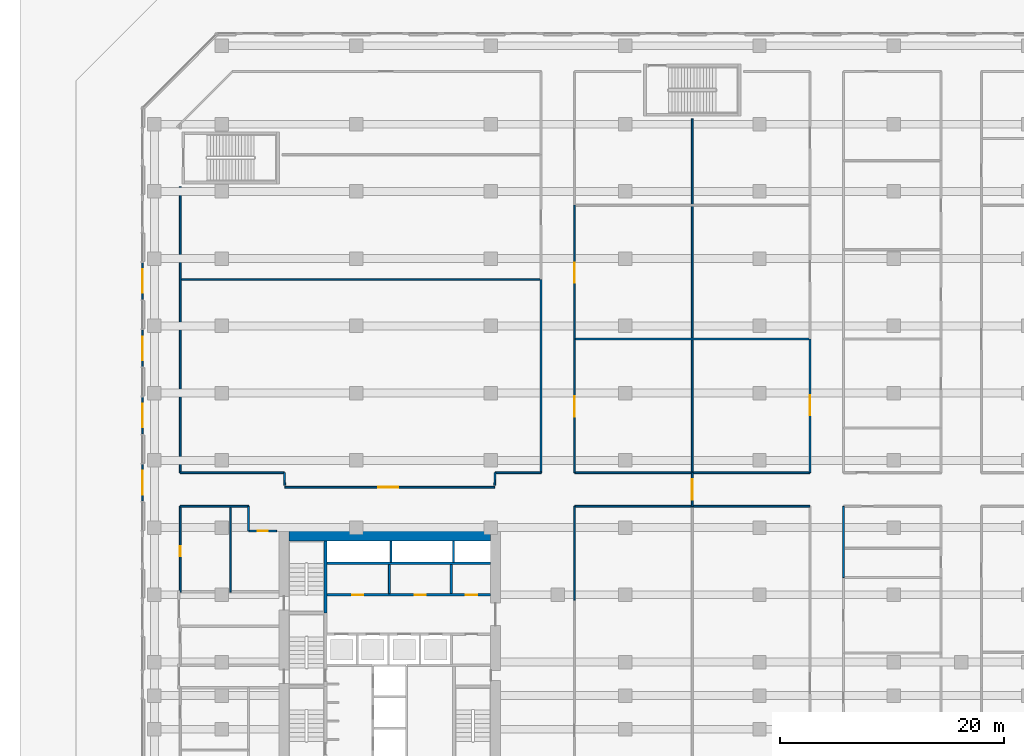
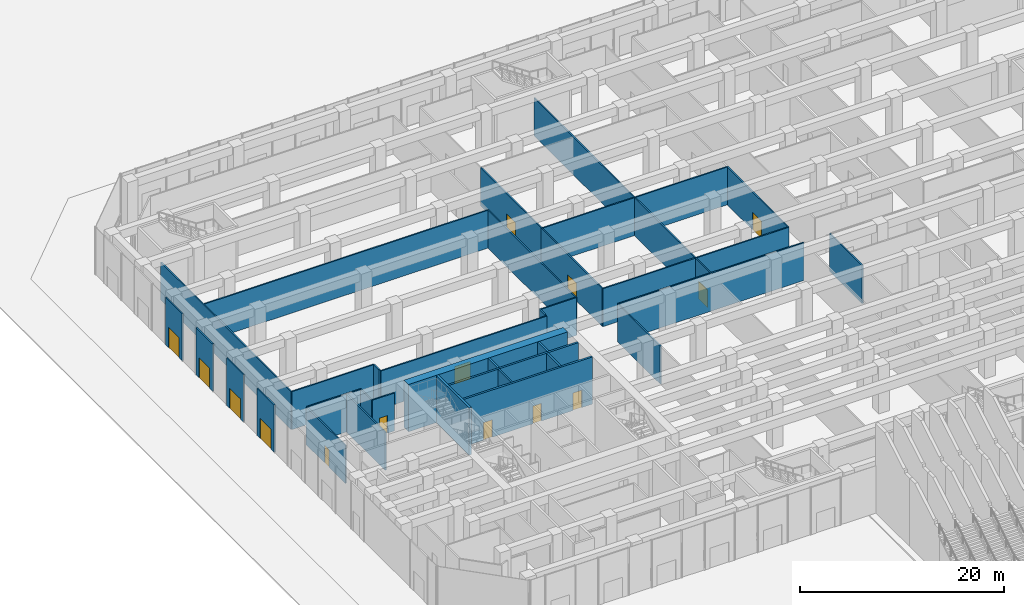
# One storey, part 21 of 32: 35 walls, 14 doors, 14 openings.
"""IFC4 building model written with IfcOpenShell, lengths in metres."""

from ifc_helpers import new_model, si_unit, direction, frame, frame_2d, origin, place, context, subcontext, project, spatial, rectangle, extrude, material, layer, layer_set, type_object, element, fill, save


model = new_model("IFC4")

# Units and contexts
model_context = context("Model", 3, precision=1e-05, world=origin(), true_north=direction((0.0, 1.0)))
body_context = subcontext(model_context, "Body", "Model", "MODEL_VIEW")
ifc_project = project(units=[si_unit("LENGTHUNIT", "METRE"), si_unit("AREAUNIT", "SQUARE_METRE"), si_unit("VOLUMEUNIT", "CUBIC_METRE"), si_unit("PLANEANGLEUNIT", "RADIAN"), si_unit("MASSUNIT", "GRAM", prefix="KILO")], contexts=[model_context])

# Site, building, storey
site_placement = place(None, origin())
site = spatial("IfcSite", under=ifc_project, at=site_placement, CompositionType="ELEMENT")
building_placement = place(site_placement, origin())
building = spatial("IfcBuilding", under=site, at=building_placement, Name="Welwitschia Terrace Campus", CompositionType="ELEMENT")
storey_placement = place(building_placement, origin())
storey = spatial("IfcBuildingStorey", under=building, at=storey_placement, Name="L00", CompositionType="ELEMENT", Elevation=0.0)

# Wall, opening, door
ifc_material_1 = material(Name="Concrete C40/50", Category="concrete")
ifc_layer_1 = layer(ifc_material_1, 0.139892578125)
ifc_layer_set_1 = layer_set([ifc_layer_1], Name="Concrete C40/50")
wall_type_1 = type_object("IfcWallType", Name="Clad wall 140", PredefinedType="SOLIDWALL", material=ifc_layer_set_1)
wall_1_placement = place(storey_placement, frame((-7.0849609375, 49.64990234375, 0.0), z_axis=(0.0, 0.0, 1.0), x_axis=(0.0, -1.0, 0.0)))
wall_1 = element("IfcWall", 1, at=wall_1_placement, inside=storey, type_object=wall_type_1, Name="Clad wall L00.entrance W3", PredefinedType="SOLIDWALL", context=body_context, shape_type="SweptSolid", body=[
    extrude(rectangle(XDim=3.2998046875, YDim=0.139892578125, at=frame_2d((1.64990234375, 0.0))), origin(), (0.0, 0.0, 1.0), 5.64990234375),
])
opening_1_placement = place(wall_1_placement, frame((0.60009765625, 0.0, 0.0)))
opening_1 = element("IfcOpeningElement", 2, at=opening_1_placement, cuts=wall_1, Name="Opening DE1", PredefinedType="OPENING", context=body_context, shape_type="SweptSolid", body=[
    extrude(rectangle(XDim=2.10009765625, YDim=2.39990234375, at=frame_2d((1.050048828125, 1.199951171875))), frame((0.0, 0.079833984375, 0.0), z_axis=(0.0, -1.0, 0.0), x_axis=(1.0, 0.0, 0.0)), (0.0, 0.0, 1.0), 0.159912109375),
])
ifc_material_2 = material(Name="Bronze anodised aluminium and glass", Category="aluminium")
door_type_1 = type_object("IfcDoorType", Name="Entrance door 2100x2400", OperationType="DOUBLE_DOOR_DOUBLE_SWING", PredefinedType="DOOR", material=ifc_material_2)
door_1_placement = place(opening_1_placement, origin())
door_1 = element("IfcDoor", 3, at=door_1_placement, inside=storey, type_object=door_type_1, Name="Entrance door W3", OperationType="DOUBLE_DOOR_DOUBLE_SWING", OverallHeight=2.39990234375, OverallWidth=2.10009765625, PredefinedType="DOOR", context=body_context, shape_type="SweptSolid", body=[
    extrude(rectangle(XDim=2.10009765625, YDim=2.39990234375, at=frame_2d((1.050048828125, 1.199951171875))), frame((0.0, 0.02490234375, 0.0), z_axis=(0.0, -1.0, 0.0), x_axis=(1.0, 0.0, 0.0)), (0.0, 0.0, 1.0), 0.050048828125),
])
fill(opening_1, door_1)

wall_2_placement = place(storey_placement, frame((-7.0849609375, 43.64990234375, 0.0), z_axis=(0.0, 0.0, 1.0), x_axis=(0.0, -1.0, 0.0)))
wall_2 = element("IfcWall", 4, at=wall_2_placement, inside=storey, type_object=wall_type_1, Name="Clad wall L00.entrance W4", PredefinedType="SOLIDWALL", context=body_context, shape_type="SweptSolid", body=[
    extrude(rectangle(XDim=3.2998046875, YDim=0.139892578125, at=frame_2d((1.64990234375, 0.0))), origin(), (0.0, 0.0, 1.0), 5.64990234375),
])
opening_2_placement = place(wall_2_placement, frame((0.60009765625, 0.0, 0.0)))
opening_2 = element("IfcOpeningElement", 5, at=opening_2_placement, cuts=wall_2, Name="Opening DE1", PredefinedType="OPENING", context=body_context, shape_type="SweptSolid", body=[
    extrude(rectangle(XDim=2.10009765625, YDim=2.39990234375, at=frame_2d((1.050048828125, 1.199951171875))), frame((0.0, 0.079833984375, 0.0), z_axis=(0.0, -1.0, 0.0), x_axis=(1.0, 0.0, 0.0)), (0.0, 0.0, 1.0), 0.159912109375),
])
door_2_placement = place(opening_2_placement, origin())
door_2 = element("IfcDoor", 6, at=door_2_placement, inside=storey, type_object=door_type_1, Name="Entrance door W4", OperationType="DOUBLE_DOOR_DOUBLE_SWING", OverallHeight=2.39990234375, OverallWidth=2.10009765625, PredefinedType="DOOR", context=body_context, shape_type="SweptSolid", body=[
    extrude(rectangle(XDim=2.10009765625, YDim=2.39990234375, at=frame_2d((1.050048828125, 1.199951171875))), frame((0.0, 0.02490234375, 0.0), z_axis=(0.0, -1.0, 0.0), x_axis=(1.0, 0.0, 0.0)), (0.0, 0.0, 1.0), 0.050048828125),
])
fill(opening_2, door_2)

wall_3_placement = place(storey_placement, frame((-7.0849609375, 37.64990234375, 0.0), z_axis=(0.0, 0.0, 1.0), x_axis=(0.0, -1.0, 0.0)))
wall_3 = element("IfcWall", 7, at=wall_3_placement, inside=storey, type_object=wall_type_1, Name="Clad wall L00.entrance W5", PredefinedType="SOLIDWALL", context=body_context, shape_type="SweptSolid", body=[
    extrude(rectangle(XDim=3.2998046875, YDim=0.139892578125, at=frame_2d((1.64990234375, 0.0))), origin(), (0.0, 0.0, 1.0), 5.64990234375),
])
opening_3_placement = place(wall_3_placement, frame((0.60009765625, 0.0, 0.0)))
opening_3 = element("IfcOpeningElement", 8, at=opening_3_placement, cuts=wall_3, Name="Opening DE1", PredefinedType="OPENING", context=body_context, shape_type="SweptSolid", body=[
    extrude(rectangle(XDim=2.10009765625, YDim=2.39990234375, at=frame_2d((1.050048828125, 1.199951171875))), frame((0.0, 0.079833984375, 0.0), z_axis=(0.0, -1.0, 0.0), x_axis=(1.0, 0.0, 0.0)), (0.0, 0.0, 1.0), 0.159912109375),
])
door_3_placement = place(opening_3_placement, origin())
door_3 = element("IfcDoor", 9, at=door_3_placement, inside=storey, type_object=door_type_1, Name="Entrance door W5", OperationType="DOUBLE_DOOR_DOUBLE_SWING", OverallHeight=2.39990234375, OverallWidth=2.10009765625, PredefinedType="DOOR", context=body_context, shape_type="SweptSolid", body=[
    extrude(rectangle(XDim=2.10009765625, YDim=2.39990234375, at=frame_2d((1.050048828125, 1.199951171875))), frame((0.0, 0.02490234375, 0.0), z_axis=(0.0, -1.0, 0.0), x_axis=(1.0, 0.0, 0.0)), (0.0, 0.0, 1.0), 0.050048828125),
])
fill(opening_3, door_3)

wall_4_placement = place(storey_placement, frame((-7.0849609375, 31.64990234375, 0.0), z_axis=(0.0, 0.0, 1.0), x_axis=(0.0, -1.0, 0.0)))
wall_4 = element("IfcWall", 10, at=wall_4_placement, inside=storey, type_object=wall_type_1, Name="Clad wall L00.entrance W6", PredefinedType="SOLIDWALL", context=body_context, shape_type="SweptSolid", body=[
    extrude(rectangle(XDim=3.2998046875, YDim=0.139892578125, at=frame_2d((1.64990234375, 0.0))), origin(), (0.0, 0.0, 1.0), 5.64990234375),
])
opening_4_placement = place(wall_4_placement, frame((0.60009765625, 0.0, 0.0)))
opening_4 = element("IfcOpeningElement", 11, at=opening_4_placement, cuts=wall_4, Name="Opening DE1", PredefinedType="OPENING", context=body_context, shape_type="SweptSolid", body=[
    extrude(rectangle(XDim=2.10009765625, YDim=2.39990234375, at=frame_2d((1.050048828125, 1.199951171875))), frame((0.0, 0.079833984375, 0.0), z_axis=(0.0, -1.0, 0.0), x_axis=(1.0, 0.0, 0.0)), (0.0, 0.0, 1.0), 0.159912109375),
])
door_4_placement = place(opening_4_placement, origin())
door_4 = element("IfcDoor", 12, at=door_4_placement, inside=storey, type_object=door_type_1, Name="Entrance door W6", OperationType="DOUBLE_DOOR_DOUBLE_SWING", OverallHeight=2.39990234375, OverallWidth=2.10009765625, PredefinedType="DOOR", context=body_context, shape_type="SweptSolid", body=[
    extrude(rectangle(XDim=2.10009765625, YDim=2.39990234375, at=frame_2d((1.050048828125, 1.199951171875))), frame((0.0, 0.02490234375, 0.0), z_axis=(0.0, -1.0, 0.0), x_axis=(1.0, 0.0, 0.0)), (0.0, 0.0, 1.0), 0.050048828125),
])
fill(opening_4, door_4)

# Wall
ifc_material_3 = material(Name="Concrete C32/40", Category="concrete")
ifc_layer_2 = layer(ifc_material_3, 0.175048828125)
ifc_layer_set_2 = layer_set([ifc_layer_2], Name="Concrete C32/40")
wall_type_2 = type_object("IfcWallType", Name="Core partition 175 Concrete C32/40", PredefinedType="PARTITIONING", material=ifc_layer_set_2)
wall_5_placement = place(storey_placement, frame((14.97509765625, 20.10009765625, 0.0), z_axis=(0.0, 0.0, 1.0), x_axis=(0.0, 1.0, 0.0)))
element("IfcWall", 13, at=wall_5_placement, inside=storey, type_object=wall_type_2, Name="Core partition", PredefinedType="PARTITIONING", context=body_context, shape_type="SweptSolid", body=[
    extrude(rectangle(XDim=2.599853515625, YDim=0.175048828125, at=frame_2d((1.2998046875, 0.0))), origin(), (0.0, 0.0, 1.0), 5.64990234375),
])

# Wall, openings, doors
ifc_material_4 = material(Name="Concrete C32/40", Category="concrete")
ifc_layer_3 = layer(ifc_material_4, 0.22509765625)
ifc_layer_set_3 = layer_set([ifc_layer_3], Name="Concrete C32/40")
wall_type_3 = type_object("IfcWallType", Name="Core partition 225 Concrete C32/40", PredefinedType="PARTITIONING", material=ifc_layer_set_3)
wall_6_placement = place(storey_placement, frame((24.0, 20.0, 0.0), z_axis=(0.0, 0.0, 1.0), x_axis=(-1.0, 0.0, 0.0)))
wall_6 = element("IfcWall", 14, at=wall_6_placement, inside=storey, type_object=wall_type_3, Name="Core partition", PredefinedType="PARTITIONING", context=body_context, shape_type="SweptSolid", body=[
    extrude(rectangle(XDim=14.60009765625, YDim=0.22509765625, at=frame_2d((7.300048828125, 0.0))), origin(), (0.0, 0.0, 1.0), 5.64990234375),
])
opening_5_placement = place(wall_6_placement, frame((11.35009765625, 0.0, 0.0)))
opening_5 = element("IfcOpeningElement", 15, at=opening_5_placement, cuts=wall_6, Name="Opening DR10", PredefinedType="OPENING", context=body_context, shape_type="SweptSolid", body=[
    extrude(rectangle(XDim=1.0, YDim=2.10009765625, at=frame_2d((0.5, 1.050048828125))), frame((0.0, 0.12255859375, 0.0), z_axis=(0.0, -1.0, 0.0), x_axis=(1.0, 0.0, 0.0)), (0.0, 0.0, 1.0), 0.2451171875),
])
opening_6_placement = place(wall_6_placement, frame((5.77490234375, 0.0, 0.0)))
opening_6 = element("IfcOpeningElement", 16, at=opening_6_placement, cuts=wall_6, Name="Opening DR10", PredefinedType="OPENING", context=body_context, shape_type="SweptSolid", body=[
    extrude(rectangle(XDim=1.0, YDim=2.10009765625, at=frame_2d((0.5, 1.050048828125))), frame((0.0, 0.12255859375, 0.0), z_axis=(0.0, -1.0, 0.0), x_axis=(1.0, 0.0, 0.0)), (0.0, 0.0, 1.0), 0.2451171875),
])
opening_7_placement = place(wall_6_placement, frame((1.199951171875, 0.0, 0.0)))
opening_7 = element("IfcOpeningElement", 17, at=opening_7_placement, cuts=wall_6, Name="Opening DR10", PredefinedType="OPENING", context=body_context, shape_type="SweptSolid", body=[
    extrude(rectangle(XDim=1.0, YDim=2.10009765625, at=frame_2d((0.5, 1.050048828125))), frame((0.0, 0.12255859375, 0.0), z_axis=(0.0, -1.0, 0.0), x_axis=(1.0, 0.0, 0.0)), (0.0, 0.0, 1.0), 0.2451171875),
])
ifc_material_5 = material(Name="Steel S275", Category="steel")
door_type_2 = type_object("IfcDoorType", Name="Core door DR10", OperationType="SINGLE_SWING_LEFT", PredefinedType="DOOR", material=ifc_material_5)
door_5_placement = place(opening_5_placement, origin())
door_5 = element("IfcDoor", 18, at=door_5_placement, inside=storey, type_object=door_type_2, Name="Door BAYH1-D", OperationType="SINGLE_SWING_RIGHT", OverallHeight=2.10009765625, OverallWidth=1.0, PredefinedType="DOOR", context=body_context, shape_type="SweptSolid", body=[
    extrude(rectangle(XDim=1.0, YDim=2.10009765625, at=frame_2d((0.5, 1.050048828125))), frame((0.0, 0.02490234375, 0.0), z_axis=(0.0, -1.0, 0.0), x_axis=(1.0, 0.0, 0.0)), (0.0, 0.0, 1.0), 0.050048828125),
])
fill(opening_5, door_5)
door_6_placement = place(opening_6_placement, origin())
door_6 = element("IfcDoor", 19, at=door_6_placement, inside=storey, type_object=door_type_2, Name="Door BAYH2-D", OperationType="SINGLE_SWING_LEFT", OverallHeight=2.10009765625, OverallWidth=1.0, PredefinedType="DOOR", context=body_context, shape_type="SweptSolid", body=[
    extrude(rectangle(XDim=1.0, YDim=2.10009765625, at=frame_2d((0.5, 1.050048828125))), frame((0.0, 0.02490234375, 0.0), z_axis=(0.0, -1.0, 0.0), x_axis=(1.0, 0.0, 0.0)), (0.0, 0.0, 1.0), 0.050048828125),
])
fill(opening_6, door_6)
door_7_placement = place(opening_7_placement, origin())
door_7 = element("IfcDoor", 20, at=door_7_placement, inside=storey, type_object=door_type_2, Name="Door EH-D", OperationType="SINGLE_SWING_LEFT", OverallHeight=2.10009765625, OverallWidth=1.0, PredefinedType="DOOR", context=body_context, shape_type="SweptSolid", body=[
    extrude(rectangle(XDim=1.0, YDim=2.10009765625, at=frame_2d((0.5, 1.050048828125))), frame((0.0, 0.02490234375, 0.0), z_axis=(0.0, -1.0, 0.0), x_axis=(1.0, 0.0, 0.0)), (0.0, 0.0, 1.0), 0.050048828125),
])
fill(opening_7, door_7)

# Walls
wall_7_placement = place(storey_placement, frame((9.39990234375, 22.800048828125, 0.0), z_axis=(0.0, 0.0, 1.0), x_axis=(1.0, 0.0, 0.0)))
element("IfcWall", 21, at=wall_7_placement, inside=storey, type_object=wall_type_3, Name="Shaft wall", PredefinedType="PARTITIONING", context=body_context, shape_type="SweptSolid", body=[
    extrude(rectangle(XDim=14.60009765625, YDim=0.22509765625, at=frame_2d((7.300048828125, 0.0))), origin(), (0.0, 0.0, 1.0), 5.64990234375),
])
wall_8_placement = place(storey_placement, frame((20.5, 20.10009765625, 0.0), z_axis=(0.0, 0.0, 1.0), x_axis=(0.0, 1.0, 0.0)))
element("IfcWall", 22, at=wall_8_placement, inside=storey, type_object=wall_type_3, Name="Core partition", PredefinedType="PARTITIONING", context=body_context, shape_type="SweptSolid", body=[
    extrude(rectangle(XDim=2.599853515625, YDim=0.22509765625, at=frame_2d((1.2998046875, 0.0))), origin(), (0.0, 0.0, 1.0), 5.64990234375),
])
ifc_material_6 = material(Name="Concrete C50/60", Category="concrete")
ifc_layer_4 = layer(ifc_material_6, 0.199951171875)
ifc_layer_set_4 = layer_set([ifc_layer_4], Name="Concrete C50/60")
wall_type_4 = type_object("IfcWallType", Name="Core wall 200 Concrete C50/60", PredefinedType="SHEAR", material=ifc_layer_set_4)
for number, where, z_axis, x_axis, name in (
    (23, (15.10009765625, 22.89990234375, 0.0), (0.0, 0.0, 1.0), (0.0, 1.0, 0.0), "Core wall"),
    (24, (20.699951171875, 22.89990234375, 0.0), (0.0, 0.0, 1.0), (0.0, 1.0, 0.0), "Core wall"),
):
    element("IfcWall", number, at=place(storey_placement, frame(where, z_axis=z_axis, x_axis=x_axis)), inside=storey, type_object=wall_type_4, Name=name, PredefinedType="SHEAR", context=body_context, shape_type="SweptSolid", body=[
        extrude(rectangle(XDim=1.900146484375, YDim=0.199951171875, at=frame_2d((0.9501953125, 0.0))), origin(), (0.0, 0.0, 1.0), 5.64990234375),
    ])
ifc_material_7 = material(Name="Concrete C50/60", Category="concrete")
ifc_layer_5 = layer(ifc_material_7, 0.25)
ifc_layer_set_5 = layer_set([ifc_layer_5], Name="Concrete C50/60")
wall_type_5 = type_object("IfcWallType", Name="Core wall 250 Concrete C50/60", PredefinedType="SHEAR", material=ifc_layer_set_5)
wall_9_placement = place(storey_placement, frame((9.27490234375, 18.375, 0.0), z_axis=(0.0, 0.0, 1.0), x_axis=(0.0, 1.0, 0.0)))
element("IfcWall", 25, at=wall_9_placement, inside=storey, type_object=wall_type_5, Name="Core wall", PredefinedType="SHEAR", context=body_context, shape_type="SweptSolid", body=[
    extrude(rectangle(XDim=6.425048828125, YDim=0.25, at=frame_2d((3.21240234375, 0.0))), origin(), (0.0, 0.0, 1.0), 5.64990234375),
])
ifc_material_8 = material(Name="Concrete C70/85", Category="concrete")
ifc_layer_6 = layer(ifc_material_8, 0.89990234375)
ifc_layer_set_6 = layer_set([ifc_layer_6], Name="Concrete C70/85")
wall_type_6 = type_object("IfcWallType", Name="Core wall 900 Concrete C70/85", PredefinedType="SHEAR", material=ifc_layer_set_6)
wall_10_placement = place(storey_placement, frame((6.0, 25.25, 0.0), z_axis=(0.0, 0.0, 1.0), x_axis=(1.0, 0.0, 0.0)))
element("IfcWall", 26, at=wall_10_placement, inside=storey, type_object=wall_type_6, Name="Core outer wall", PredefinedType="SHEAR", context=body_context, shape_type="SweptSolid", body=[
    extrude(rectangle(XDim=18.0, YDim=0.89990234375, at=frame_2d((9.0, 0.0))), origin(), (0.0, 0.0, 1.0), 5.64990234375),
])

# Wall, opening, door
ifc_material_9 = material(Name="Gypsum board on steel studs", Category="steel")
ifc_layer_7 = layer(ifc_material_9, 0.14990234375)
ifc_layer_set_7 = layer_set([ifc_layer_7], Name="Gypsum board on steel studs")
wall_type_7 = type_object("IfcWallType", Name="Corridor partition 150 EI 30", PredefinedType="PARTITIONING", material=ifc_layer_set_7)
wall_11_placement = place(storey_placement, frame((-3.699951171875, 27.89990234375, 0.0), z_axis=(0.0, 0.0, 1.0), x_axis=(0.0, -1.0, 0.0)))
wall_11 = element("IfcWall", 27, at=wall_11_placement, inside=storey, type_object=wall_type_7, Name="Partition", PredefinedType="PARTITIONING", context=body_context, shape_type="SweptSolid", body=[
    extrude(rectangle(XDim=7.64990234375, YDim=0.14990234375, at=frame_2d((3.824951171875, 0.0))), origin(), (0.0, 0.0, 1.0), 4.530029296875),
])
opening_8_placement = place(wall_11_placement, frame((3.550048828125, 0.0, 0.0)))
opening_8 = element("IfcOpeningElement", 28, at=opening_8_placement, cuts=wall_11, Name="Opening DI09", PredefinedType="OPENING", context=body_context, shape_type="SweptSolid", body=[
    extrude(rectangle(XDim=0.89990234375, YDim=2.10009765625, at=frame_2d((0.449951171875, 1.050048828125))), frame((0.0, 0.0849609375, 0.0), z_axis=(0.0, -1.0, 0.0), x_axis=(1.0, 0.0, 0.0)), (0.0, 0.0, 1.0), 0.169921875),
])
ifc_material_10 = material(Name="Timber veneered door", Category="wood")
door_type_3 = type_object("IfcDoorType", Name="Interior door DI09", OperationType="NOTDEFINED", PredefinedType="DOOR", material=ifc_material_10)
door_8_placement = place(opening_8_placement, origin())
door_8 = element("IfcDoor", 29, at=door_8_placement, inside=storey, type_object=door_type_3, Name="Door L00 019", OperationType="SINGLE_SWING_RIGHT", OverallHeight=2.10009765625, OverallWidth=0.89990234375, PredefinedType="DOOR", context=body_context, shape_type="SweptSolid", body=[
    extrude(rectangle(XDim=0.89990234375, YDim=2.10009765625, at=frame_2d((0.449951171875, 1.050048828125))), frame((0.0, 0.02490234375, 0.0), z_axis=(0.0, -1.0, 0.0), x_axis=(1.0, 0.0, 0.0)), (0.0, 0.0, 1.0), 0.050048828125),
])
fill(opening_8, door_8)

# Walls
wall_12_placement = place(storey_placement, frame((-3.699951171875, 27.89990234375, 0.0), z_axis=(0.0, 0.0, 1.0), x_axis=(1.0, 0.0, 0.0)))
element("IfcWall", 30, at=wall_12_placement, inside=storey, type_object=wall_type_7, Name="Partition", PredefinedType="PARTITIONING", context=body_context, shape_type="SweptSolid", body=[
    extrude(rectangle(XDim=6.099853515625, YDim=0.14990234375, at=frame_2d((3.0498046875, 0.0))), origin(), (0.0, 0.0, 1.0), 4.530029296875),
])
wall_13_placement = place(storey_placement, frame((-3.699951171875, 30.89990234375, 0.0), z_axis=(0.0, 0.0, 1.0), x_axis=(0.0, 1.0, 0.0)))
element("IfcWall", 31, at=wall_13_placement, inside=storey, type_object=wall_type_7, Name="Partition", PredefinedType="PARTITIONING", context=body_context, shape_type="SweptSolid", body=[
    extrude(rectangle(XDim=25.530029296875, YDim=0.14990234375, at=frame_2d((12.76513671875, 0.0))), origin(), (0.0, 0.0, 1.0), 4.530029296875),
])
wall_14_placement = place(storey_placement, frame((-3.699951171875, 30.89990234375, 0.0), z_axis=(0.0, 0.0, 1.0), x_axis=(1.0, 0.0, 0.0)))
element("IfcWall", 32, at=wall_14_placement, inside=storey, type_object=wall_type_7, Name="Partition", PredefinedType="PARTITIONING", context=body_context, shape_type="SweptSolid", body=[
    extrude(rectangle(XDim=9.300048828125, YDim=0.14990234375, at=frame_2d((4.64990234375, 0.0))), origin(), (0.0, 0.0, 1.0), 4.530029296875),
])
wall_15_placement = place(storey_placement, frame((-3.699951171875, 48.14990234375, 0.0), z_axis=(0.0, 0.0, 1.0), x_axis=(1.0, 0.0, 0.0)))
element("IfcWall", 33, at=wall_15_placement, inside=storey, type_object=wall_type_7, Name="Partition", PredefinedType="PARTITIONING", context=body_context, shape_type="SweptSolid", body=[
    extrude(rectangle(XDim=32.199951171875, YDim=0.14990234375, at=frame_2d((16.10009765625, 0.0))), origin(), (0.0, 0.0, 1.0), 4.530029296875),
])
wall_16_placement = place(storey_placement, frame((0.800048828125, 20.25, 0.0), z_axis=(0.0, 0.0, 1.0), x_axis=(0.0, 1.0, 0.0)))
element("IfcWall", 34, at=wall_16_placement, inside=storey, type_object=wall_type_7, Name="Partition", PredefinedType="PARTITIONING", context=body_context, shape_type="SweptSolid", body=[
    extrude(rectangle(XDim=7.64990234375, YDim=0.14990234375, at=frame_2d((3.824951171875, 0.0))), origin(), (0.0, 0.0, 1.0), 4.530029296875),
])
wall_17_placement = place(storey_placement, frame((2.39990234375, 25.699951171875, 0.0), z_axis=(0.0, 0.0, 1.0), x_axis=(0.0, 1.0, 0.0)))
element("IfcWall", 35, at=wall_17_placement, inside=storey, type_object=wall_type_7, Name="Partition", PredefinedType="PARTITIONING", context=body_context, shape_type="SweptSolid", body=[
    extrude(rectangle(XDim=2.199951171875, YDim=0.14990234375, at=frame_2d((1.10009765625, 0.0))), origin(), (0.0, 0.0, 1.0), 4.530029296875),
])

# Wall, opening, door
wall_18_placement = place(storey_placement, frame((4.909912109375, 25.699951171875, 0.0), z_axis=(0.0, 0.0, 1.0), x_axis=(-1.0, 0.0, 0.0)))
wall_18 = element("IfcWall", 36, at=wall_18_placement, inside=storey, type_object=wall_type_7, Name="Partition", PredefinedType="PARTITIONING", context=body_context, shape_type="SweptSolid", body=[
    extrude(rectangle(XDim=2.510009765625, YDim=0.14990234375, at=frame_2d((1.2548828125, 0.0))), origin(), (0.0, 0.0, 1.0), 4.530029296875),
])
opening_9_placement = place(wall_18_placement, frame((0.81005859375, 0.0, 0.0)))
opening_9 = element("IfcOpeningElement", 37, at=opening_9_placement, cuts=wall_18, Name="Opening DI09", PredefinedType="OPENING", context=body_context, shape_type="SweptSolid", body=[
    extrude(rectangle(XDim=0.89990234375, YDim=2.10009765625, at=frame_2d((0.449951171875, 1.050048828125))), frame((0.0, 0.0849609375, 0.0), z_axis=(0.0, -1.0, 0.0), x_axis=(1.0, 0.0, 0.0)), (0.0, 0.0, 1.0), 0.169921875),
])
door_9_placement = place(opening_9_placement, origin())
door_9 = element("IfcDoor", 38, at=door_9_placement, inside=storey, type_object=door_type_3, Name="Door L00 021", OperationType="SINGLE_SWING_RIGHT", OverallHeight=2.10009765625, OverallWidth=0.89990234375, PredefinedType="DOOR", context=body_context, shape_type="SweptSolid", body=[
    extrude(rectangle(XDim=0.89990234375, YDim=2.10009765625, at=frame_2d((0.449951171875, 1.050048828125))), frame((0.0, 0.02490234375, 0.0), z_axis=(0.0, -1.0, 0.0), x_axis=(1.0, 0.0, 0.0)), (0.0, 0.0, 1.0), 0.050048828125),
])
fill(opening_9, door_9)

# Wall
wall_19_placement = place(storey_placement, frame((5.60009765625, 30.89990234375, 0.0), z_axis=(0.0, 0.0, 1.0), x_axis=(0.022906193834, -0.99973761872, 0.0)))
element("IfcWall", 39, at=wall_19_placement, inside=storey, type_object=wall_type_7, Name="Partition", PredefinedType="PARTITIONING", context=body_context, shape_type="SweptSolid", body=[
    extrude(rectangle(XDim=1.140380859375, YDim=0.14990234375, at=frame_2d((0.5703125, 0.0))), origin(), (0.0, 0.0, 1.0), 4.530029296875),
])

# Wall, opening, door
wall_20_placement = place(storey_placement, frame((5.6298828125, 29.60009765625, 0.0), z_axis=(0.0, 0.0, 1.0), x_axis=(1.0, 0.0, 0.0)))
wall_20 = element("IfcWall", 40, at=wall_20_placement, inside=storey, type_object=wall_type_7, Name="Partition", PredefinedType="PARTITIONING", context=body_context, shape_type="SweptSolid", body=[
    extrude(rectangle(XDim=18.740234375, YDim=0.14990234375, at=frame_2d((9.3701171875, 0.0))), origin(), (0.0, 0.0, 1.0), 4.530029296875),
])
opening_10_placement = place(wall_20_placement, frame((8.340087890625, 0.0, 0.0)))
opening_10 = element("IfcOpeningElement", 41, at=opening_10_placement, cuts=wall_20, Name="Opening DI18", PredefinedType="OPENING", context=body_context, shape_type="SweptSolid", body=[
    extrude(rectangle(XDim=1.800048828125, YDim=2.10009765625, at=frame_2d((0.89990234375, 1.050048828125))), frame((0.0, 0.0849609375, 0.0), z_axis=(0.0, -1.0, 0.0), x_axis=(1.0, 0.0, 0.0)), (0.0, 0.0, 1.0), 0.169921875),
])
ifc_material_11 = material(Name="Timber veneered door", Category="wood")
door_type_4 = type_object("IfcDoorType", Name="Interior door DI18", OperationType="DOUBLE_DOOR_SINGLE_SWING", PredefinedType="DOOR", material=ifc_material_11)
door_10_placement = place(opening_10_placement, origin())
door_10 = element("IfcDoor", 42, at=door_10_placement, inside=storey, type_object=door_type_4, Name="Door L00 022", OperationType="SINGLE_SWING_LEFT", OverallHeight=2.10009765625, OverallWidth=1.800048828125, PredefinedType="DOOR", context=body_context, shape_type="SweptSolid", body=[
    extrude(rectangle(XDim=1.800048828125, YDim=2.10009765625, at=frame_2d((0.89990234375, 1.050048828125))), frame((0.0, 0.02490234375, 0.0), z_axis=(0.0, -1.0, 0.0), x_axis=(1.0, 0.0, 0.0)), (0.0, 0.0, 1.0), 0.050048828125),
])
fill(opening_10, door_10)

# Walls
wall_21_placement = place(storey_placement, frame((24.373779296875, 29.759765625, 0.0), z_axis=(0.0, 0.0, 1.0), x_axis=(0.022906193834, 0.99973761872, 0.0)))
element("IfcWall", 43, at=wall_21_placement, inside=storey, type_object=wall_type_7, Name="Partition", PredefinedType="PARTITIONING", context=body_context, shape_type="SweptSolid", body=[
    extrude(rectangle(XDim=1.140380859375, YDim=0.14990234375, at=frame_2d((0.5703125, 0.0))), origin(), (0.0, 0.0, 1.0), 4.530029296875),
])
wall_22_placement = place(storey_placement, frame((24.39990234375, 30.89990234375, 0.0), z_axis=(0.0, 0.0, 1.0), x_axis=(1.0, 0.0, 0.0)))
element("IfcWall", 44, at=wall_22_placement, inside=storey, type_object=wall_type_7, Name="Partition", PredefinedType="PARTITIONING", context=body_context, shape_type="SweptSolid", body=[
    extrude(rectangle(XDim=4.10009765625, YDim=0.14990234375, at=frame_2d((2.050048828125, 0.0))), origin(), (0.0, 0.0, 1.0), 4.530029296875),
])
wall_23_placement = place(storey_placement, frame((28.5, 30.89990234375, 0.0), z_axis=(0.0, 0.0, 1.0), x_axis=(0.0, 1.0, 0.0)))
element("IfcWall", 45, at=wall_23_placement, inside=storey, type_object=wall_type_7, Name="Partition", PredefinedType="PARTITIONING", context=body_context, shape_type="SweptSolid", body=[
    extrude(rectangle(XDim=17.25, YDim=0.14990234375, at=frame_2d((8.625, 0.0))), origin(), (0.0, 0.0, 1.0), 4.530029296875),
])
wall_24_placement = place(storey_placement, frame((31.5, 19.52001953125, 0.0), z_axis=(0.0, 0.0, 1.0), x_axis=(0.0, 1.0, 0.0)))
element("IfcWall", 46, at=wall_24_placement, inside=storey, type_object=wall_type_7, Name="Partition", PredefinedType="PARTITIONING", context=body_context, shape_type="SweptSolid", body=[
    extrude(rectangle(XDim=8.3798828125, YDim=0.14990234375, at=frame_2d((4.18994140625, 0.0))), origin(), (0.0, 0.0, 1.0), 4.530029296875),
])
wall_25_placement = place(storey_placement, frame((31.5, 27.89990234375, 0.0), z_axis=(0.0, 0.0, 1.0), x_axis=(1.0, 0.0, 0.0)))
element("IfcWall", 47, at=wall_25_placement, inside=storey, type_object=wall_type_7, Name="Partition", PredefinedType="PARTITIONING", context=body_context, shape_type="SweptSolid", body=[
    extrude(rectangle(XDim=21.0, YDim=0.14990234375, at=frame_2d((10.5, 0.0))), origin(), (0.0, 0.0, 1.0), 4.530029296875),
])

# Wall, opening, door
wall_26_placement = place(storey_placement, frame((31.5, 30.89990234375, 0.0), z_axis=(0.0, 0.0, 1.0), x_axis=(0.0, 1.0, 0.0)))
wall_26 = element("IfcWall", 48, at=wall_26_placement, inside=storey, type_object=wall_type_7, Name="Partition", PredefinedType="PARTITIONING", context=body_context, shape_type="SweptSolid", body=[
    extrude(rectangle(XDim=11.93017578125, YDim=0.14990234375, at=frame_2d((5.965087890625, 0.0))), origin(), (0.0, 0.0, 1.0), 4.530029296875),
])
opening_11_placement = place(wall_26_placement, frame((5.0, 0.0, 0.0)))
opening_11 = element("IfcOpeningElement", 49, at=opening_11_placement, cuts=wall_26, Name="Opening DI18", PredefinedType="OPENING", context=body_context, shape_type="SweptSolid", body=[
    extrude(rectangle(XDim=1.800048828125, YDim=2.10009765625, at=frame_2d((0.89990234375, 1.050048828125))), frame((0.0, 0.0849609375, 0.0), z_axis=(0.0, -1.0, 0.0), x_axis=(1.0, 0.0, 0.0)), (0.0, 0.0, 1.0), 0.169921875),
])
door_11_placement = place(opening_11_placement, origin())
door_11 = element("IfcDoor", 50, at=door_11_placement, inside=storey, type_object=door_type_4, Name="Door L00 028", OperationType="SINGLE_SWING_LEFT", OverallHeight=2.10009765625, OverallWidth=1.800048828125, PredefinedType="DOOR", context=body_context, shape_type="SweptSolid", body=[
    extrude(rectangle(XDim=1.800048828125, YDim=2.10009765625, at=frame_2d((0.89990234375, 1.050048828125))), frame((0.0, 0.02490234375, 0.0), z_axis=(0.0, -1.0, 0.0), x_axis=(1.0, 0.0, 0.0)), (0.0, 0.0, 1.0), 0.050048828125),
])
fill(opening_11, door_11)

# Wall
wall_27_placement = place(storey_placement, frame((31.5, 30.89990234375, 0.0), z_axis=(0.0, 0.0, 1.0), x_axis=(1.0, 0.0, 0.0)))
element("IfcWall", 51, at=wall_27_placement, inside=storey, type_object=wall_type_7, Name="Partition", PredefinedType="PARTITIONING", context=body_context, shape_type="SweptSolid", body=[
    extrude(rectangle(XDim=21.0, YDim=0.14990234375, at=frame_2d((10.5, 0.0))), origin(), (0.0, 0.0, 1.0), 4.530029296875),
])

# Wall, opening, door
wall_28_placement = place(storey_placement, frame((31.5, 42.830078125, 0.0), z_axis=(0.0, 0.0, 1.0), x_axis=(0.0, 1.0, 0.0)))
wall_28 = element("IfcWall", 52, at=wall_28_placement, inside=storey, type_object=wall_type_7, Name="Partition", PredefinedType="PARTITIONING", context=body_context, shape_type="SweptSolid", body=[
    extrude(rectangle(XDim=11.93994140625, YDim=0.14990234375, at=frame_2d((5.969970703125, 0.0))), origin(), (0.0, 0.0, 1.0), 4.530029296875),
])
opening_12_placement = place(wall_28_placement, frame((5.0, 0.0, 0.0)))
opening_12 = element("IfcOpeningElement", 53, at=opening_12_placement, cuts=wall_28, Name="Opening DI18", PredefinedType="OPENING", context=body_context, shape_type="SweptSolid", body=[
    extrude(rectangle(XDim=1.800048828125, YDim=2.10009765625, at=frame_2d((0.89990234375, 1.050048828125))), frame((0.0, 0.0849609375, 0.0), z_axis=(0.0, -1.0, 0.0), x_axis=(1.0, 0.0, 0.0)), (0.0, 0.0, 1.0), 0.169921875),
])
door_12_placement = place(opening_12_placement, origin())
door_12 = element("IfcDoor", 54, at=door_12_placement, inside=storey, type_object=door_type_4, Name="Door L00 029", OperationType="SINGLE_SWING_LEFT", OverallHeight=2.10009765625, OverallWidth=1.800048828125, PredefinedType="DOOR", context=body_context, shape_type="SweptSolid", body=[
    extrude(rectangle(XDim=1.800048828125, YDim=2.10009765625, at=frame_2d((0.89990234375, 1.050048828125))), frame((0.0, 0.02490234375, 0.0), z_axis=(0.0, -1.0, 0.0), x_axis=(1.0, 0.0, 0.0)), (0.0, 0.0, 1.0), 0.050048828125),
])
fill(opening_12, door_12)

# Wall
wall_29_placement = place(storey_placement, frame((31.5, 42.830078125, 0.0), z_axis=(0.0, 0.0, 1.0), x_axis=(1.0, 0.0, 0.0)))
element("IfcWall", 55, at=wall_29_placement, inside=storey, type_object=wall_type_7, Name="Partition", PredefinedType="PARTITIONING", context=body_context, shape_type="SweptSolid", body=[
    extrude(rectangle(XDim=21.0, YDim=0.14990234375, at=frame_2d((10.5, 0.0))), origin(), (0.0, 0.0, 1.0), 4.530029296875),
])

# Wall, opening, door
wall_30_placement = place(storey_placement, frame((42.0, 30.89990234375, 0.0), z_axis=(0.0, 0.0, 1.0), x_axis=(0.0, -1.0, 0.0)))
wall_30 = element("IfcWall", 56, at=wall_30_placement, inside=storey, type_object=wall_type_7, Name="Partition", PredefinedType="PARTITIONING", context=body_context, shape_type="SweptSolid", body=[
    extrude(rectangle(XDim=3.0, YDim=0.14990234375, at=frame_2d((1.5, 0.0))), origin(), (0.0, 0.0, 1.0), 4.530029296875),
])
opening_13_placement = place(wall_30_placement, frame((0.60009765625, 0.0, 0.0)))
opening_13 = element("IfcOpeningElement", 57, at=opening_13_placement, cuts=wall_30, Name="Opening DF18", PredefinedType="OPENING", context=body_context, shape_type="SweptSolid", body=[
    extrude(rectangle(XDim=1.800048828125, YDim=2.10009765625, at=frame_2d((0.89990234375, 1.050048828125))), frame((0.0, 0.0849609375, 0.0), z_axis=(0.0, -1.0, 0.0), x_axis=(1.0, 0.0, 0.0)), (0.0, 0.0, 1.0), 0.169921875),
])
ifc_material_12 = material(Name="Timber veneered door", Category="wood")
door_type_5 = type_object("IfcDoorType", Name="Interior door DF18", OperationType="DOUBLE_DOOR_SINGLE_SWING", PredefinedType="DOOR", material=ifc_material_12)
door_13_placement = place(opening_13_placement, origin())
door_13 = element("IfcDoor", 58, at=door_13_placement, inside=storey, type_object=door_type_5, Name="Door L00 032", OperationType="SINGLE_SWING_LEFT", OverallHeight=2.10009765625, OverallWidth=1.800048828125, PredefinedType="DOOR", context=body_context, shape_type="SweptSolid", body=[
    extrude(rectangle(XDim=1.800048828125, YDim=2.10009765625, at=frame_2d((0.89990234375, 1.050048828125))), frame((0.0, 0.02490234375, 0.0), z_axis=(0.0, -1.0, 0.0), x_axis=(1.0, 0.0, 0.0)), (0.0, 0.0, 1.0), 0.050048828125),
])
fill(opening_13, door_13)

# Wall
wall_31_placement = place(storey_placement, frame((42.0, 30.89990234375, 0.0), z_axis=(0.0, 0.0, 1.0), x_axis=(0.0, 1.0, 0.0)))
element("IfcWall", 59, at=wall_31_placement, inside=storey, type_object=wall_type_7, Name="Partition", PredefinedType="PARTITIONING", context=body_context, shape_type="SweptSolid", body=[
    extrude(rectangle(XDim=31.580078125, YDim=0.14990234375, at=frame_2d((15.7900390625, 0.0))), origin(), (0.0, 0.0, 1.0), 4.530029296875),
])

# Wall, opening, door
wall_32_placement = place(storey_placement, frame((52.5, 42.830078125, 0.0), z_axis=(0.0, 0.0, 1.0), x_axis=(0.0, -1.0, 0.0)))
wall_32 = element("IfcWall", 60, at=wall_32_placement, inside=storey, type_object=wall_type_7, Name="Partition", PredefinedType="PARTITIONING", context=body_context, shape_type="SweptSolid", body=[
    extrude(rectangle(XDim=11.93017578125, YDim=0.14990234375, at=frame_2d((5.965087890625, 0.0))), origin(), (0.0, 0.0, 1.0), 4.530029296875),
])
opening_14_placement = place(wall_32_placement, frame((5.0, 0.0, 0.0)))
opening_14 = element("IfcOpeningElement", 61, at=opening_14_placement, cuts=wall_32, Name="Opening DI18", PredefinedType="OPENING", context=body_context, shape_type="SweptSolid", body=[
    extrude(rectangle(XDim=1.800048828125, YDim=2.10009765625, at=frame_2d((0.89990234375, 1.050048828125))), frame((0.0, 0.0849609375, 0.0), z_axis=(0.0, -1.0, 0.0), x_axis=(1.0, 0.0, 0.0)), (0.0, 0.0, 1.0), 0.169921875),
])
door_14_placement = place(opening_14_placement, origin())
door_14 = element("IfcDoor", 62, at=door_14_placement, inside=storey, type_object=door_type_4, Name="Door L00 034", OperationType="SINGLE_SWING_LEFT", OverallHeight=2.10009765625, OverallWidth=1.800048828125, PredefinedType="DOOR", context=body_context, shape_type="SweptSolid", body=[
    extrude(rectangle(XDim=1.800048828125, YDim=2.10009765625, at=frame_2d((0.89990234375, 1.050048828125))), frame((0.0, 0.02490234375, 0.0), z_axis=(0.0, -1.0, 0.0), x_axis=(1.0, 0.0, 0.0)), (0.0, 0.0, 1.0), 0.050048828125),
])
fill(opening_14, door_14)

# Wall
wall_33_placement = place(storey_placement, frame((55.5, 21.5400390625, 0.0), z_axis=(0.0, 0.0, 1.0), x_axis=(0.0, 1.0, 0.0)))
element("IfcWall", 63, at=wall_33_placement, inside=storey, type_object=wall_type_7, Name="Partition", PredefinedType="PARTITIONING", context=body_context, shape_type="SweptSolid", body=[
    extrude(rectangle(XDim=6.35986328125, YDim=0.14990234375, at=frame_2d((3.179931640625, 0.0))), origin(), (0.0, 0.0, 1.0), 4.530029296875),
])

save(model, "model.ifc")
